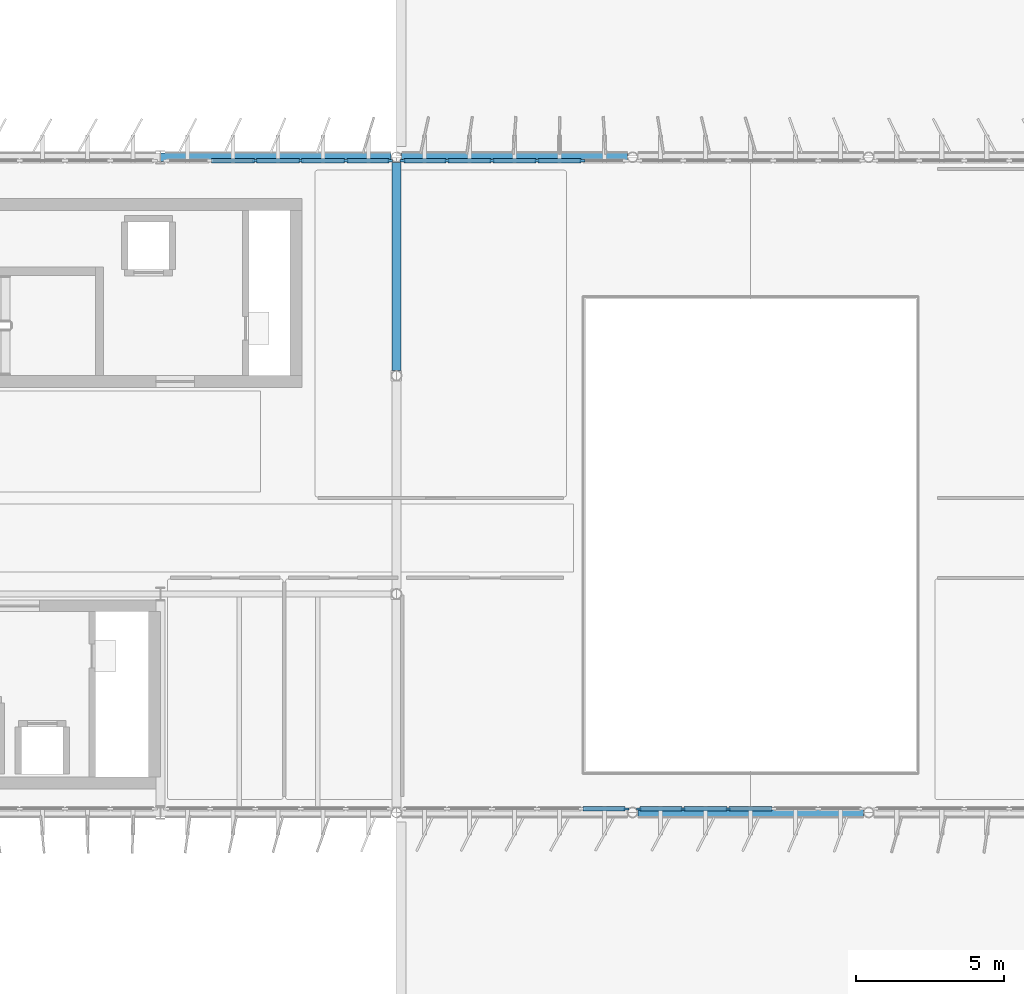
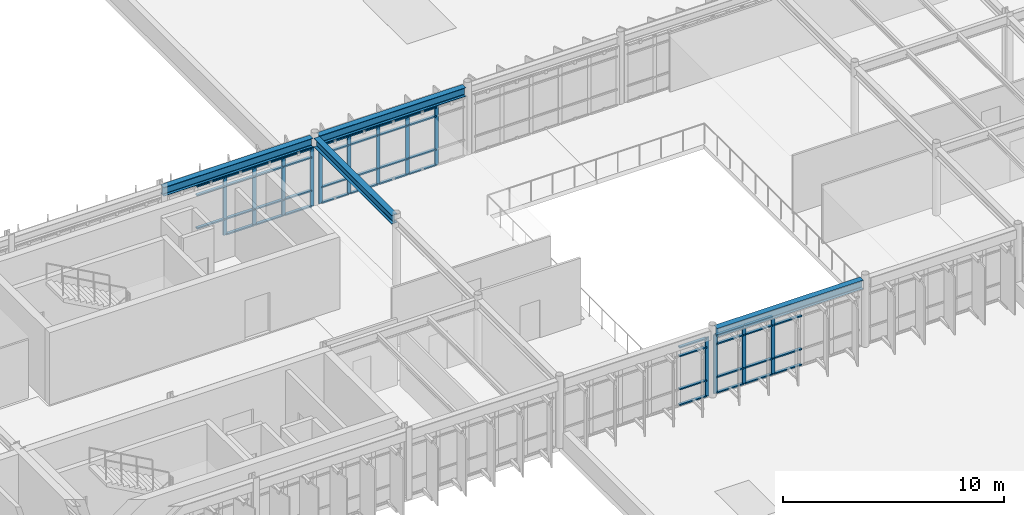
# One storey, part 18 of 56: 59 members, 4 beams, 4 elements without a shape of their own.
"""IFC4 building model written with IfcOpenShell, lengths in metres."""

from ifc_helpers import new_model, si_unit, direction, frame, origin, origin_2d, place, context, subcontext, project, spatial, rectangle, i_section, extrude, material, layer, layer_set, material_profile, profile_set, type_object, element, aggregate, save


model = new_model("IFC4")

# Units and contexts
model_context = context("Model", 3, precision=1e-05, world=origin(), true_north=direction((0.0, 1.0)))
body_context = subcontext(model_context, "Body", "Model", "MODEL_VIEW")
ifc_project = project(units=[si_unit("LENGTHUNIT", "METRE"), si_unit("AREAUNIT", "SQUARE_METRE"), si_unit("VOLUMEUNIT", "CUBIC_METRE"), si_unit("PLANEANGLEUNIT", "RADIAN"), si_unit("MASSUNIT", "GRAM", prefix="KILO")], contexts=[model_context])

# Site, building, storey
site_placement = place(None, origin())
site = spatial("IfcSite", under=ifc_project, at=site_placement, CompositionType="ELEMENT")
building_placement = place(site_placement, origin())
building = spatial("IfcBuilding", under=site, at=building_placement, Name="Valkorina Park Police Headquarters", CompositionType="ELEMENT")
storey_placement = place(building_placement, frame((0.0, 0.0, 14.10009765625)))
storey = spatial("IfcBuildingStorey", under=building, at=storey_placement, Name="L04", CompositionType="ELEMENT", Elevation=14.10009765625)

# Beams
ifc_material_1 = material(Name="Steel S355", Category="steel")
ifc_material_profile_1 = material_profile(ifc_material_1, i_section(OverallWidth=0.300048828125, OverallDepth=0.489990234375, WebThickness=0.011962890625, FlangeThickness=0.02294921875, FilletRadius=0.027099609375, at=origin_2d()), Name="HEA 500")
ifc_profile_set_1 = profile_set([ifc_material_profile_1], Name="Steel S355")
beam_type_1 = type_object("IfcBeamType", Name="BM-S355-HEA500-BM", PredefinedType="BEAM", material=ifc_profile_set_1)
beam_1_placement = place(storey_placement, frame((56.800048828125, 51.977783203125, 3.510009765625), z_axis=(0.0, 1.0, 0.0), x_axis=(-1.0, 0.0, 0.0)))
element("IfcBeam", 1, at=beam_1_placement, inside=storey, type_object=beam_type_1, Name="L04 Framing Beam 2330", PredefinedType="BEAM", context=body_context, shape_type="SweptSolid", body=[
    extrude(i_section(OverallWidth=0.300048828125, OverallDepth=0.489990234375, WebThickness=0.011962890625, FlangeThickness=0.02294921875, FilletRadius=0.027099609375, at=origin_2d()), origin(), (0.0, 0.0, 1.0), 7.04443359375),
])
ifc_material_profile_2 = material_profile(ifc_material_1, i_section(OverallWidth=0.300048828125, OverallDepth=0.489990234375, WebThickness=0.011962890625, FlangeThickness=0.02294921875, FilletRadius=0.027099609375, at=origin_2d()), Name="HEA 500")
ifc_profile_set_2 = profile_set([ifc_material_profile_2], Name="Steel S355")
beam_type_2 = type_object("IfcBeamType", Name="BM-S355-HEA500-SPN", PredefinedType="SPANDREL", material=ifc_profile_set_2)
beam_2_placement = place(storey_placement, frame((64.977783203125, 37.0, 3.510009765625), z_axis=(1.0, 0.0, 0.0), x_axis=(0.0, 1.0, 0.0)))
element("IfcBeam", 2, at=beam_2_placement, inside=storey, type_object=beam_type_2, Name="L04 Framing Beam 2222", PredefinedType="SPANDREL", context=body_context, shape_type="SweptSolid", body=[
    extrude(i_section(OverallWidth=0.300048828125, OverallDepth=0.489990234375, WebThickness=0.011962890625, FlangeThickness=0.02294921875, FilletRadius=0.027099609375, at=origin_2d()), origin(), (0.0, 0.0, 1.0), 7.64453125),
])
beam_3_placement = place(storey_placement, frame((48.806884765625, 59.199951171875, 3.510009765625), z_axis=(1.0, 0.0, 0.0), x_axis=(0.0, 1.0, 0.0)))
element("IfcBeam", 3, at=beam_3_placement, inside=storey, type_object=beam_type_2, Name="L04 Framing Beam 2255", PredefinedType="SPANDREL", context=body_context, shape_type="SweptSolid", body=[
    extrude(i_section(OverallWidth=0.300048828125, OverallDepth=0.489990234375, WebThickness=0.011962890625, FlangeThickness=0.02294921875, FilletRadius=0.027099609375, at=origin_2d()), origin(), (0.0, 0.0, 1.0), 7.8154296875),
])
beam_4_placement = place(storey_placement, frame((56.977783203125, 59.199951171875, 3.510009765625), z_axis=(1.0, 0.0, 0.0), x_axis=(0.0, 1.0, 0.0)))
element("IfcBeam", 4, at=beam_4_placement, inside=storey, type_object=beam_type_2, Name="L04 Framing Beam 2256", PredefinedType="SPANDREL", context=body_context, shape_type="SweptSolid", body=[
    extrude(i_section(OverallWidth=0.300048828125, OverallDepth=0.489990234375, WebThickness=0.011962890625, FlangeThickness=0.02294921875, FilletRadius=0.027099609375, at=origin_2d()), origin(), (0.0, 0.0, 1.0), 7.64453125),
])

# Curtain wall, members
ifc_material_2 = material(Name="Thermally broken aluminium AW-6060", Category="aluminium")
ifc_layer_1 = layer(ifc_material_2, 0.18994140625)
ifc_layer_set_1 = layer_set([ifc_layer_1], Name="Thermally broken aluminium AW-6060")
curtain_wall_type_1 = type_object("IfcCurtainWallType", Name="CW-V5-7650x3260", PredefinedType="NOTDEFINED", material=ifc_layer_set_1)
curtain_wall_1_placement = place(storey_placement, origin())
curtain_wall_1 = element("IfcCurtainWall", 5, at=curtain_wall_1_placement, inside=storey, type_object=curtain_wall_type_1, Name="L04 Unitised Curtain Wall 036", PredefinedType="NOTDEFINED")
ifc_material_profile_3 = material_profile(ifc_material_2, rectangle(XDim=0.070068359375, YDim=0.18994140625, at=origin_2d()), Name="CWM-02 70x190")
ifc_profile_set_3 = profile_set([ifc_material_profile_3], Name="Thermally broken aluminium AW-6060")
member_type_1 = type_object("IfcMemberType", Name="CWM-70x190", PredefinedType="MULLION", material=ifc_profile_set_3)
member_1_placement = place(storey_placement, frame((52.02099609375, 59.080078125, 0.0), z_axis=(0.0, 0.0, 1.0), x_axis=(0.0, 1.0, 0.0)))
member_1 = element("IfcMember", 6, at=member_1_placement, type_object=member_type_1, Name="CW-V5-765-326 mullion 3", PredefinedType="MULLION", context=body_context, shape_type="SweptSolid", body=[
    extrude(rectangle(XDim=0.070068359375, YDim=0.18994140625, at=origin_2d()), origin(), (0.0, 0.0, 1.0), 3.2548828125),
])
member_2_placement = place(storey_placement, frame((53.55126953125, 59.080078125, 0.0), z_axis=(0.0, 0.0, 1.0), x_axis=(0.0, 1.0, 0.0)))
member_2 = element("IfcMember", 7, at=member_2_placement, type_object=member_type_1, Name="CW-V5-765-326 mullion 4", PredefinedType="MULLION", context=body_context, shape_type="SweptSolid", body=[
    extrude(rectangle(XDim=0.070068359375, YDim=0.18994140625, at=origin_2d()), origin(), (0.0, 0.0, 1.0), 3.2548828125),
])
member_3_placement = place(storey_placement, frame((55.081787109375, 59.080078125, 0.0), z_axis=(0.0, 0.0, 1.0), x_axis=(0.0, 1.0, 0.0)))
member_3 = element("IfcMember", 8, at=member_3_placement, type_object=member_type_1, Name="CW-V5-765-326 mullion 5", PredefinedType="MULLION", context=body_context, shape_type="SweptSolid", body=[
    extrude(rectangle(XDim=0.070068359375, YDim=0.18994140625, at=origin_2d()), origin(), (0.0, 0.0, 1.0), 3.2548828125),
])
member_4_placement = place(storey_placement, frame((56.5771484375, 59.080078125, 0.0), z_axis=(0.0, 0.0, 1.0), x_axis=(0.0, 1.0, 0.0)))
member_4 = element("IfcMember", 9, at=member_4_placement, type_object=member_type_1, Name="CW-V5-765-326 mullion 6", PredefinedType="MULLION", context=body_context, shape_type="SweptSolid", body=[
    extrude(rectangle(XDim=0.070068359375, YDim=0.18994140625, at=origin_2d()), origin(), (0.0, 0.0, 1.0), 3.2548828125),
])

ifc_layer_2 = layer(ifc_material_2, 0.18994140625)
ifc_layer_set_2 = layer_set([ifc_layer_2], Name="Thermally broken aluminium AW-6060")
curtain_wall_type_2 = type_object("IfcCurtainWallType", Name="CW-V5-7620x3260", PredefinedType="NOTDEFINED", material=ifc_layer_set_2)
curtain_wall_2_placement = place(storey_placement, origin())
curtain_wall_2 = element("IfcCurtainWall", 10, at=curtain_wall_2_placement, inside=storey, type_object=curtain_wall_type_2, Name="L04 Unitised Curtain Wall 037", PredefinedType="NOTDEFINED")
member_5_placement = place(storey_placement, frame((57.022705078125, 59.080078125, 0.0), z_axis=(0.0, 0.0, 1.0), x_axis=(0.0, 1.0, 0.0)))
member_5 = element("IfcMember", 11, at=member_5_placement, type_object=member_type_1, Name="CW-V5-762-326 mullion 1", PredefinedType="MULLION", context=body_context, shape_type="SweptSolid", body=[
    extrude(rectangle(XDim=0.070068359375, YDim=0.18994140625, at=origin_2d()), origin(), (0.0, 0.0, 1.0), 3.2548828125),
])
member_6_placement = place(storey_placement, frame((58.5126953125, 59.080078125, 0.0), z_axis=(0.0, 0.0, 1.0), x_axis=(0.0, 1.0, 0.0)))
member_6 = element("IfcMember", 12, at=member_6_placement, type_object=member_type_1, Name="CW-V5-762-326 mullion 2", PredefinedType="MULLION", context=body_context, shape_type="SweptSolid", body=[
    extrude(rectangle(XDim=0.070068359375, YDim=0.18994140625, at=origin_2d()), origin(), (0.0, 0.0, 1.0), 3.2548828125),
])
member_7_placement = place(storey_placement, frame((60.03759765625, 59.080078125, 0.0), z_axis=(0.0, 0.0, 1.0), x_axis=(0.0, 1.0, 0.0)))
member_7 = element("IfcMember", 13, at=member_7_placement, type_object=member_type_1, Name="CW-V5-762-326 mullion 3", PredefinedType="MULLION", context=body_context, shape_type="SweptSolid", body=[
    extrude(rectangle(XDim=0.070068359375, YDim=0.18994140625, at=origin_2d()), origin(), (0.0, 0.0, 1.0), 3.2548828125),
])
member_8_placement = place(storey_placement, frame((61.5625, 59.080078125, 0.0), z_axis=(0.0, 0.0, 1.0), x_axis=(0.0, 1.0, 0.0)))
member_8 = element("IfcMember", 14, at=member_8_placement, type_object=member_type_1, Name="CW-V5-762-326 mullion 4", PredefinedType="MULLION", context=body_context, shape_type="SweptSolid", body=[
    extrude(rectangle(XDim=0.070068359375, YDim=0.18994140625, at=origin_2d()), origin(), (0.0, 0.0, 1.0), 3.2548828125),
])
member_9_placement = place(storey_placement, frame((63.08740234375, 59.080078125, 0.0), z_axis=(0.0, 0.0, 1.0), x_axis=(0.0, 1.0, 0.0)))
member_9 = element("IfcMember", 15, at=member_9_placement, type_object=member_type_1, Name="CW-V5-762-326 mullion 5", PredefinedType="MULLION", context=body_context, shape_type="SweptSolid", body=[
    extrude(rectangle(XDim=0.070068359375, YDim=0.18994140625, at=origin_2d()), origin(), (0.0, 0.0, 1.0), 3.2548828125),
])

curtain_wall_3_placement = place(storey_placement, origin())
curtain_wall_3 = element("IfcCurtainWall", 16, at=curtain_wall_3_placement, inside=storey, type_object=curtain_wall_type_2, Name="L04 Unitised Curtain Wall 049", PredefinedType="NOTDEFINED")
member_10_placement = place(storey_placement, frame((68.03759765625, 37.1201171875, 0.0), z_axis=(0.0, 0.0, 1.0), x_axis=(0.0, -1.0, 0.0)))
member_10 = element("IfcMember", 17, at=member_10_placement, type_object=member_type_1, Name="CW-V5-762-326 mullion 4", PredefinedType="MULLION", context=body_context, shape_type="SweptSolid", body=[
    extrude(rectangle(XDim=0.070068359375, YDim=0.18994140625, at=origin_2d()), origin(), (0.0, 0.0, 1.0), 3.2548828125),
])
member_11_placement = place(storey_placement, frame((66.5126953125, 37.1201171875, 0.0), z_axis=(0.0, 0.0, 1.0), x_axis=(0.0, -1.0, 0.0)))
member_11 = element("IfcMember", 18, at=member_11_placement, type_object=member_type_1, Name="CW-V5-762-326 mullion 5", PredefinedType="MULLION", context=body_context, shape_type="SweptSolid", body=[
    extrude(rectangle(XDim=0.070068359375, YDim=0.18994140625, at=origin_2d()), origin(), (0.0, 0.0, 1.0), 3.2548828125),
])
member_12_placement = place(storey_placement, frame((65.022705078125, 37.1201171875, 0.0), z_axis=(0.0, 0.0, 1.0), x_axis=(0.0, -1.0, 0.0)))
member_12 = element("IfcMember", 19, at=member_12_placement, type_object=member_type_1, Name="CW-V5-762-326 mullion 6", PredefinedType="MULLION", context=body_context, shape_type="SweptSolid", body=[
    extrude(rectangle(XDim=0.070068359375, YDim=0.18994140625, at=origin_2d()), origin(), (0.0, 0.0, 1.0), 3.2548828125),
])

# Curtain wall, member
curtain_wall_4_placement = place(storey_placement, origin())
curtain_wall_4 = element("IfcCurtainWall", 20, at=curtain_wall_4_placement, inside=storey, type_object=curtain_wall_type_2, Name="L04 Unitised Curtain Wall 050", PredefinedType="NOTDEFINED")
member_13_placement = place(storey_placement, frame((64.5771484375, 37.1201171875, 0.0), z_axis=(0.0, 0.0, 1.0), x_axis=(0.0, -1.0, 0.0)))
member_13 = element("IfcMember", 21, at=member_13_placement, type_object=member_type_1, Name="CW-V5-762-326 mullion 1", PredefinedType="MULLION", context=body_context, shape_type="SweptSolid", body=[
    extrude(rectangle(XDim=0.070068359375, YDim=0.18994140625, at=origin_2d()), origin(), (0.0, 0.0, 1.0), 3.2548828125),
])

# Member
ifc_material_profile_4 = material_profile(ifc_material_2, rectangle(XDim=0.14990234375, YDim=0.070068359375, at=origin_2d()), Name="CWT-02 150x70")
ifc_profile_set_4 = profile_set([ifc_material_profile_4], Name="Thermally broken aluminium AW-6060")
member_type_2 = type_object("IfcMemberType", Name="CWT-150x70", PredefinedType="USERDEFINED", material=ifc_profile_set_4)
member_14_placement = place(storey_placement, frame((50.525390625, 59.080078125, 0.89990234375), z_axis=(1.0, 0.0, 0.0), x_axis=(0.0, 1.0, 0.0)))
member_14 = element("IfcMember", 22, at=member_14_placement, type_object=member_type_2, Name="CW-V5-765-326 transom 2.2", ObjectType="TRANSOM", PredefinedType="USERDEFINED", context=body_context, shape_type="SweptSolid", body=[
    extrude(rectangle(XDim=0.14990234375, YDim=0.070068359375, at=origin_2d()), origin(), (0.0, 0.0, 1.0), 1.46044921875),
])

member_15_placement = place(storey_placement, frame((50.525390625, 59.080078125, 2.73486328125), z_axis=(1.0, 0.0, 0.0), x_axis=(0.0, 1.0, 0.0)))
member_15 = element("IfcMember", 23, at=member_15_placement, type_object=member_type_2, Name="CW-V5-765-326 transom 2.3", ObjectType="TRANSOM", PredefinedType="USERDEFINED", context=body_context, shape_type="SweptSolid", body=[
    extrude(rectangle(XDim=0.14990234375, YDim=0.070068359375, at=origin_2d()), origin(), (0.0, 0.0, 1.0), 1.46044921875),
])

member_16_placement = place(storey_placement, frame((50.525390625, 59.080078125, 3.219970703125), z_axis=(1.0, 0.0, 0.0), x_axis=(0.0, 1.0, 0.0)))
member_16 = element("IfcMember", 24, at=member_16_placement, type_object=member_type_2, Name="CW-V5-765-326 transom 2.4", ObjectType="TRANSOM", PredefinedType="USERDEFINED", context=body_context, shape_type="SweptSolid", body=[
    extrude(rectangle(XDim=0.14990234375, YDim=0.070068359375, at=origin_2d()), origin(), (0.0, 0.0, 1.0), 1.46044921875),
])

member_17_placement = place(storey_placement, frame((52.055908203125, 59.080078125, 0.034912109375), z_axis=(1.0, 0.0, 0.0), x_axis=(0.0, 1.0, 0.0)))
member_17 = element("IfcMember", 25, at=member_17_placement, type_object=member_type_2, Name="CW-V5-765-326 transom 3.1", ObjectType="TRANSOM", PredefinedType="USERDEFINED", context=body_context, shape_type="SweptSolid", body=[
    extrude(rectangle(XDim=0.14990234375, YDim=0.070068359375, at=origin_2d()), origin(), (0.0, 0.0, 1.0), 1.46044921875),
])

member_18_placement = place(storey_placement, frame((52.055908203125, 59.080078125, 0.89990234375), z_axis=(1.0, 0.0, 0.0), x_axis=(0.0, 1.0, 0.0)))
member_18 = element("IfcMember", 26, at=member_18_placement, type_object=member_type_2, Name="CW-V5-765-326 transom 3.2", ObjectType="TRANSOM", PredefinedType="USERDEFINED", context=body_context, shape_type="SweptSolid", body=[
    extrude(rectangle(XDim=0.14990234375, YDim=0.070068359375, at=origin_2d()), origin(), (0.0, 0.0, 1.0), 1.46044921875),
])

member_19_placement = place(storey_placement, frame((52.055908203125, 59.080078125, 2.73486328125), z_axis=(1.0, 0.0, 0.0), x_axis=(0.0, 1.0, 0.0)))
member_19 = element("IfcMember", 27, at=member_19_placement, type_object=member_type_2, Name="CW-V5-765-326 transom 3.3", ObjectType="TRANSOM", PredefinedType="USERDEFINED", context=body_context, shape_type="SweptSolid", body=[
    extrude(rectangle(XDim=0.14990234375, YDim=0.070068359375, at=origin_2d()), origin(), (0.0, 0.0, 1.0), 1.46044921875),
])

member_20_placement = place(storey_placement, frame((52.055908203125, 59.080078125, 3.219970703125), z_axis=(1.0, 0.0, 0.0), x_axis=(0.0, 1.0, 0.0)))
member_20 = element("IfcMember", 28, at=member_20_placement, type_object=member_type_2, Name="CW-V5-765-326 transom 3.4", ObjectType="TRANSOM", PredefinedType="USERDEFINED", context=body_context, shape_type="SweptSolid", body=[
    extrude(rectangle(XDim=0.14990234375, YDim=0.070068359375, at=origin_2d()), origin(), (0.0, 0.0, 1.0), 1.46044921875),
])

member_21_placement = place(storey_placement, frame((53.58642578125, 59.080078125, 0.034912109375), z_axis=(1.0, 0.0, 0.0), x_axis=(0.0, 1.0, 0.0)))
member_21 = element("IfcMember", 29, at=member_21_placement, type_object=member_type_2, Name="CW-V5-765-326 transom 4.1", ObjectType="TRANSOM", PredefinedType="USERDEFINED", context=body_context, shape_type="SweptSolid", body=[
    extrude(rectangle(XDim=0.14990234375, YDim=0.070068359375, at=origin_2d()), origin(), (0.0, 0.0, 1.0), 1.46044921875),
])

member_22_placement = place(storey_placement, frame((53.58642578125, 59.080078125, 0.89990234375), z_axis=(1.0, 0.0, 0.0), x_axis=(0.0, 1.0, 0.0)))
member_22 = element("IfcMember", 30, at=member_22_placement, type_object=member_type_2, Name="CW-V5-765-326 transom 4.2", ObjectType="TRANSOM", PredefinedType="USERDEFINED", context=body_context, shape_type="SweptSolid", body=[
    extrude(rectangle(XDim=0.14990234375, YDim=0.070068359375, at=origin_2d()), origin(), (0.0, 0.0, 1.0), 1.46044921875),
])

member_23_placement = place(storey_placement, frame((53.58642578125, 59.080078125, 2.73486328125), z_axis=(1.0, 0.0, 0.0), x_axis=(0.0, 1.0, 0.0)))
member_23 = element("IfcMember", 31, at=member_23_placement, type_object=member_type_2, Name="CW-V5-765-326 transom 4.3", ObjectType="TRANSOM", PredefinedType="USERDEFINED", context=body_context, shape_type="SweptSolid", body=[
    extrude(rectangle(XDim=0.14990234375, YDim=0.070068359375, at=origin_2d()), origin(), (0.0, 0.0, 1.0), 1.46044921875),
])

member_24_placement = place(storey_placement, frame((53.58642578125, 59.080078125, 3.219970703125), z_axis=(1.0, 0.0, 0.0), x_axis=(0.0, 1.0, 0.0)))
member_24 = element("IfcMember", 32, at=member_24_placement, type_object=member_type_2, Name="CW-V5-765-326 transom 4.4", ObjectType="TRANSOM", PredefinedType="USERDEFINED", context=body_context, shape_type="SweptSolid", body=[
    extrude(rectangle(XDim=0.14990234375, YDim=0.070068359375, at=origin_2d()), origin(), (0.0, 0.0, 1.0), 1.46044921875),
])

member_25_placement = place(storey_placement, frame((55.11669921875, 59.080078125, 0.034912109375), z_axis=(1.0, 0.0, 0.0), x_axis=(0.0, 1.0, 0.0)))
member_25 = element("IfcMember", 33, at=member_25_placement, type_object=member_type_2, Name="CW-V5-765-326 transom 5.1", ObjectType="TRANSOM", PredefinedType="USERDEFINED", context=body_context, shape_type="SweptSolid", body=[
    extrude(rectangle(XDim=0.14990234375, YDim=0.070068359375, at=origin_2d()), origin(), (0.0, 0.0, 1.0), 1.425537109375),
])

member_26_placement = place(storey_placement, frame((55.11669921875, 59.080078125, 0.89990234375), z_axis=(1.0, 0.0, 0.0), x_axis=(0.0, 1.0, 0.0)))
member_26 = element("IfcMember", 34, at=member_26_placement, type_object=member_type_2, Name="CW-V5-765-326 transom 5.2", ObjectType="TRANSOM", PredefinedType="USERDEFINED", context=body_context, shape_type="SweptSolid", body=[
    extrude(rectangle(XDim=0.14990234375, YDim=0.070068359375, at=origin_2d()), origin(), (0.0, 0.0, 1.0), 1.425537109375),
])

member_27_placement = place(storey_placement, frame((55.11669921875, 59.080078125, 2.73486328125), z_axis=(1.0, 0.0, 0.0), x_axis=(0.0, 1.0, 0.0)))
member_27 = element("IfcMember", 35, at=member_27_placement, type_object=member_type_2, Name="CW-V5-765-326 transom 5.3", ObjectType="TRANSOM", PredefinedType="USERDEFINED", context=body_context, shape_type="SweptSolid", body=[
    extrude(rectangle(XDim=0.14990234375, YDim=0.070068359375, at=origin_2d()), origin(), (0.0, 0.0, 1.0), 1.425537109375),
])

member_28_placement = place(storey_placement, frame((55.11669921875, 59.080078125, 3.219970703125), z_axis=(1.0, 0.0, 0.0), x_axis=(0.0, 1.0, 0.0)))
member_28 = element("IfcMember", 36, at=member_28_placement, type_object=member_type_2, Name="CW-V5-765-326 transom 5.4", ObjectType="TRANSOM", PredefinedType="USERDEFINED", context=body_context, shape_type="SweptSolid", body=[
    extrude(rectangle(XDim=0.14990234375, YDim=0.070068359375, at=origin_2d()), origin(), (0.0, 0.0, 1.0), 1.425537109375),
])

aggregate(curtain_wall_1, [member_1, member_2, member_3, member_4, member_14, member_15, member_16, member_17, member_18, member_19, member_20, member_21, member_22, member_23, member_24, member_25, member_26, member_27, member_28])

member_29_placement = place(storey_placement, frame((57.057861328125, 59.080078125, 0.034912109375), z_axis=(1.0, 0.0, 0.0), x_axis=(0.0, 1.0, 0.0)))
member_29 = element("IfcMember", 37, at=member_29_placement, type_object=member_type_2, Name="CW-V5-762-326 transom 1.1", ObjectType="TRANSOM", PredefinedType="USERDEFINED", context=body_context, shape_type="SweptSolid", body=[
    extrude(rectangle(XDim=0.14990234375, YDim=0.070068359375, at=origin_2d()), origin(), (0.0, 0.0, 1.0), 1.419921875),
])

member_30_placement = place(storey_placement, frame((57.057861328125, 59.080078125, 0.89990234375), z_axis=(1.0, 0.0, 0.0), x_axis=(0.0, 1.0, 0.0)))
member_30 = element("IfcMember", 38, at=member_30_placement, type_object=member_type_2, Name="CW-V5-762-326 transom 1.2", ObjectType="TRANSOM", PredefinedType="USERDEFINED", context=body_context, shape_type="SweptSolid", body=[
    extrude(rectangle(XDim=0.14990234375, YDim=0.070068359375, at=origin_2d()), origin(), (0.0, 0.0, 1.0), 1.419921875),
])

member_31_placement = place(storey_placement, frame((57.057861328125, 59.080078125, 2.73486328125), z_axis=(1.0, 0.0, 0.0), x_axis=(0.0, 1.0, 0.0)))
member_31 = element("IfcMember", 39, at=member_31_placement, type_object=member_type_2, Name="CW-V5-762-326 transom 1.3", ObjectType="TRANSOM", PredefinedType="USERDEFINED", context=body_context, shape_type="SweptSolid", body=[
    extrude(rectangle(XDim=0.14990234375, YDim=0.070068359375, at=origin_2d()), origin(), (0.0, 0.0, 1.0), 1.419921875),
])

member_32_placement = place(storey_placement, frame((57.057861328125, 59.080078125, 3.219970703125), z_axis=(1.0, 0.0, 0.0), x_axis=(0.0, 1.0, 0.0)))
member_32 = element("IfcMember", 40, at=member_32_placement, type_object=member_type_2, Name="CW-V5-762-326 transom 1.4", ObjectType="TRANSOM", PredefinedType="USERDEFINED", context=body_context, shape_type="SweptSolid", body=[
    extrude(rectangle(XDim=0.14990234375, YDim=0.070068359375, at=origin_2d()), origin(), (0.0, 0.0, 1.0), 1.419921875),
])

member_33_placement = place(storey_placement, frame((58.547607421875, 59.080078125, 0.034912109375), z_axis=(1.0, 0.0, 0.0), x_axis=(0.0, 1.0, 0.0)))
member_33 = element("IfcMember", 41, at=member_33_placement, type_object=member_type_2, Name="CW-V5-762-326 transom 2.1", ObjectType="TRANSOM", PredefinedType="USERDEFINED", context=body_context, shape_type="SweptSolid", body=[
    extrude(rectangle(XDim=0.14990234375, YDim=0.070068359375, at=origin_2d()), origin(), (0.0, 0.0, 1.0), 1.454833984375),
])

member_34_placement = place(storey_placement, frame((58.547607421875, 59.080078125, 0.89990234375), z_axis=(1.0, 0.0, 0.0), x_axis=(0.0, 1.0, 0.0)))
member_34 = element("IfcMember", 42, at=member_34_placement, type_object=member_type_2, Name="CW-V5-762-326 transom 2.2", ObjectType="TRANSOM", PredefinedType="USERDEFINED", context=body_context, shape_type="SweptSolid", body=[
    extrude(rectangle(XDim=0.14990234375, YDim=0.070068359375, at=origin_2d()), origin(), (0.0, 0.0, 1.0), 1.454833984375),
])

member_35_placement = place(storey_placement, frame((58.547607421875, 59.080078125, 2.73486328125), z_axis=(1.0, 0.0, 0.0), x_axis=(0.0, 1.0, 0.0)))
member_35 = element("IfcMember", 43, at=member_35_placement, type_object=member_type_2, Name="CW-V5-762-326 transom 2.3", ObjectType="TRANSOM", PredefinedType="USERDEFINED", context=body_context, shape_type="SweptSolid", body=[
    extrude(rectangle(XDim=0.14990234375, YDim=0.070068359375, at=origin_2d()), origin(), (0.0, 0.0, 1.0), 1.454833984375),
])

member_36_placement = place(storey_placement, frame((58.547607421875, 59.080078125, 3.219970703125), z_axis=(1.0, 0.0, 0.0), x_axis=(0.0, 1.0, 0.0)))
member_36 = element("IfcMember", 44, at=member_36_placement, type_object=member_type_2, Name="CW-V5-762-326 transom 2.4", ObjectType="TRANSOM", PredefinedType="USERDEFINED", context=body_context, shape_type="SweptSolid", body=[
    extrude(rectangle(XDim=0.14990234375, YDim=0.070068359375, at=origin_2d()), origin(), (0.0, 0.0, 1.0), 1.454833984375),
])

member_37_placement = place(storey_placement, frame((60.072509765625, 59.080078125, 0.034912109375), z_axis=(1.0, 0.0, 0.0), x_axis=(0.0, 1.0, 0.0)))
member_37 = element("IfcMember", 45, at=member_37_placement, type_object=member_type_2, Name="CW-V5-762-326 transom 3.1", ObjectType="TRANSOM", PredefinedType="USERDEFINED", context=body_context, shape_type="SweptSolid", body=[
    extrude(rectangle(XDim=0.14990234375, YDim=0.070068359375, at=origin_2d()), origin(), (0.0, 0.0, 1.0), 1.454833984375),
])

member_38_placement = place(storey_placement, frame((60.072509765625, 59.080078125, 0.89990234375), z_axis=(1.0, 0.0, 0.0), x_axis=(0.0, 1.0, 0.0)))
member_38 = element("IfcMember", 46, at=member_38_placement, type_object=member_type_2, Name="CW-V5-762-326 transom 3.2", ObjectType="TRANSOM", PredefinedType="USERDEFINED", context=body_context, shape_type="SweptSolid", body=[
    extrude(rectangle(XDim=0.14990234375, YDim=0.070068359375, at=origin_2d()), origin(), (0.0, 0.0, 1.0), 1.454833984375),
])

member_39_placement = place(storey_placement, frame((60.072509765625, 59.080078125, 2.73486328125), z_axis=(1.0, 0.0, 0.0), x_axis=(0.0, 1.0, 0.0)))
member_39 = element("IfcMember", 47, at=member_39_placement, type_object=member_type_2, Name="CW-V5-762-326 transom 3.3", ObjectType="TRANSOM", PredefinedType="USERDEFINED", context=body_context, shape_type="SweptSolid", body=[
    extrude(rectangle(XDim=0.14990234375, YDim=0.070068359375, at=origin_2d()), origin(), (0.0, 0.0, 1.0), 1.454833984375),
])

member_40_placement = place(storey_placement, frame((60.072509765625, 59.080078125, 3.219970703125), z_axis=(1.0, 0.0, 0.0), x_axis=(0.0, 1.0, 0.0)))
member_40 = element("IfcMember", 48, at=member_40_placement, type_object=member_type_2, Name="CW-V5-762-326 transom 3.4", ObjectType="TRANSOM", PredefinedType="USERDEFINED", context=body_context, shape_type="SweptSolid", body=[
    extrude(rectangle(XDim=0.14990234375, YDim=0.070068359375, at=origin_2d()), origin(), (0.0, 0.0, 1.0), 1.454833984375),
])

member_41_placement = place(storey_placement, frame((61.597412109375, 59.080078125, 0.034912109375), z_axis=(1.0, 0.0, 0.0), x_axis=(0.0, 1.0, 0.0)))
member_41 = element("IfcMember", 49, at=member_41_placement, type_object=member_type_2, Name="CW-V5-762-326 transom 4.1", ObjectType="TRANSOM", PredefinedType="USERDEFINED", context=body_context, shape_type="SweptSolid", body=[
    extrude(rectangle(XDim=0.14990234375, YDim=0.070068359375, at=origin_2d()), origin(), (0.0, 0.0, 1.0), 1.454833984375),
])

member_42_placement = place(storey_placement, frame((61.597412109375, 59.080078125, 0.89990234375), z_axis=(1.0, 0.0, 0.0), x_axis=(0.0, 1.0, 0.0)))
member_42 = element("IfcMember", 50, at=member_42_placement, type_object=member_type_2, Name="CW-V5-762-326 transom 4.2", ObjectType="TRANSOM", PredefinedType="USERDEFINED", context=body_context, shape_type="SweptSolid", body=[
    extrude(rectangle(XDim=0.14990234375, YDim=0.070068359375, at=origin_2d()), origin(), (0.0, 0.0, 1.0), 1.454833984375),
])

member_43_placement = place(storey_placement, frame((61.597412109375, 59.080078125, 2.73486328125), z_axis=(1.0, 0.0, 0.0), x_axis=(0.0, 1.0, 0.0)))
member_43 = element("IfcMember", 51, at=member_43_placement, type_object=member_type_2, Name="CW-V5-762-326 transom 4.3", ObjectType="TRANSOM", PredefinedType="USERDEFINED", context=body_context, shape_type="SweptSolid", body=[
    extrude(rectangle(XDim=0.14990234375, YDim=0.070068359375, at=origin_2d()), origin(), (0.0, 0.0, 1.0), 1.454833984375),
])

member_44_placement = place(storey_placement, frame((61.597412109375, 59.080078125, 3.219970703125), z_axis=(1.0, 0.0, 0.0), x_axis=(0.0, 1.0, 0.0)))
member_44 = element("IfcMember", 52, at=member_44_placement, type_object=member_type_2, Name="CW-V5-762-326 transom 4.4", ObjectType="TRANSOM", PredefinedType="USERDEFINED", context=body_context, shape_type="SweptSolid", body=[
    extrude(rectangle(XDim=0.14990234375, YDim=0.070068359375, at=origin_2d()), origin(), (0.0, 0.0, 1.0), 1.454833984375),
])

aggregate(curtain_wall_2, [member_5, member_6, member_7, member_8, member_9, member_29, member_30, member_31, member_32, member_33, member_34, member_35, member_36, member_37, member_38, member_39, member_40, member_41, member_42, member_43, member_44])

member_45_placement = place(storey_placement, frame((69.52734375, 37.1201171875, 0.034912109375), z_axis=(-1.0, 0.0, 0.0), x_axis=(0.0, -1.0, 0.0)))
member_45 = element("IfcMember", 53, at=member_45_placement, type_object=member_type_2, Name="CW-V5-762-326 transom 3.1", ObjectType="TRANSOM", PredefinedType="USERDEFINED", context=body_context, shape_type="SweptSolid", body=[
    extrude(rectangle(XDim=0.14990234375, YDim=0.070068359375, at=origin_2d()), origin(), (0.0, 0.0, 1.0), 1.454833984375),
])

member_46_placement = place(storey_placement, frame((69.52734375, 37.1201171875, 0.89990234375), z_axis=(-1.0, 0.0, 0.0), x_axis=(0.0, -1.0, 0.0)))
member_46 = element("IfcMember", 54, at=member_46_placement, type_object=member_type_2, Name="CW-V5-762-326 transom 3.2", ObjectType="TRANSOM", PredefinedType="USERDEFINED", context=body_context, shape_type="SweptSolid", body=[
    extrude(rectangle(XDim=0.14990234375, YDim=0.070068359375, at=origin_2d()), origin(), (0.0, 0.0, 1.0), 1.454833984375),
])

member_47_placement = place(storey_placement, frame((69.52734375, 37.1201171875, 2.73486328125), z_axis=(-1.0, 0.0, 0.0), x_axis=(0.0, -1.0, 0.0)))
member_47 = element("IfcMember", 55, at=member_47_placement, type_object=member_type_2, Name="CW-V5-762-326 transom 3.3", ObjectType="TRANSOM", PredefinedType="USERDEFINED", context=body_context, shape_type="SweptSolid", body=[
    extrude(rectangle(XDim=0.14990234375, YDim=0.070068359375, at=origin_2d()), origin(), (0.0, 0.0, 1.0), 1.454833984375),
])

member_48_placement = place(storey_placement, frame((68.00244140625, 37.1201171875, 0.034912109375), z_axis=(-1.0, 0.0, 0.0), x_axis=(0.0, -1.0, 0.0)))
member_48 = element("IfcMember", 56, at=member_48_placement, type_object=member_type_2, Name="CW-V5-762-326 transom 4.1", ObjectType="TRANSOM", PredefinedType="USERDEFINED", context=body_context, shape_type="SweptSolid", body=[
    extrude(rectangle(XDim=0.14990234375, YDim=0.070068359375, at=origin_2d()), origin(), (0.0, 0.0, 1.0), 1.454833984375),
])

member_49_placement = place(storey_placement, frame((68.00244140625, 37.1201171875, 0.89990234375), z_axis=(-1.0, 0.0, 0.0), x_axis=(0.0, -1.0, 0.0)))
member_49 = element("IfcMember", 57, at=member_49_placement, type_object=member_type_2, Name="CW-V5-762-326 transom 4.2", ObjectType="TRANSOM", PredefinedType="USERDEFINED", context=body_context, shape_type="SweptSolid", body=[
    extrude(rectangle(XDim=0.14990234375, YDim=0.070068359375, at=origin_2d()), origin(), (0.0, 0.0, 1.0), 1.454833984375),
])

member_50_placement = place(storey_placement, frame((68.00244140625, 37.1201171875, 2.73486328125), z_axis=(-1.0, 0.0, 0.0), x_axis=(0.0, -1.0, 0.0)))
member_50 = element("IfcMember", 58, at=member_50_placement, type_object=member_type_2, Name="CW-V5-762-326 transom 4.3", ObjectType="TRANSOM", PredefinedType="USERDEFINED", context=body_context, shape_type="SweptSolid", body=[
    extrude(rectangle(XDim=0.14990234375, YDim=0.070068359375, at=origin_2d()), origin(), (0.0, 0.0, 1.0), 1.454833984375),
])

member_51_placement = place(storey_placement, frame((68.00244140625, 37.1201171875, 3.219970703125), z_axis=(-1.0, 0.0, 0.0), x_axis=(0.0, -1.0, 0.0)))
member_51 = element("IfcMember", 59, at=member_51_placement, type_object=member_type_2, Name="CW-V5-762-326 transom 4.4", ObjectType="TRANSOM", PredefinedType="USERDEFINED", context=body_context, shape_type="SweptSolid", body=[
    extrude(rectangle(XDim=0.14990234375, YDim=0.070068359375, at=origin_2d()), origin(), (0.0, 0.0, 1.0), 1.454833984375),
])

member_52_placement = place(storey_placement, frame((66.477783203125, 37.1201171875, 0.034912109375), z_axis=(-1.0, 0.0, 0.0), x_axis=(0.0, -1.0, 0.0)))
member_52 = element("IfcMember", 60, at=member_52_placement, type_object=member_type_2, Name="CW-V5-762-326 transom 5.1", ObjectType="TRANSOM", PredefinedType="USERDEFINED", context=body_context, shape_type="SweptSolid", body=[
    extrude(rectangle(XDim=0.14990234375, YDim=0.070068359375, at=origin_2d()), origin(), (0.0, 0.0, 1.0), 1.419921875),
])

member_53_placement = place(storey_placement, frame((66.477783203125, 37.1201171875, 0.89990234375), z_axis=(-1.0, 0.0, 0.0), x_axis=(0.0, -1.0, 0.0)))
member_53 = element("IfcMember", 61, at=member_53_placement, type_object=member_type_2, Name="CW-V5-762-326 transom 5.2", ObjectType="TRANSOM", PredefinedType="USERDEFINED", context=body_context, shape_type="SweptSolid", body=[
    extrude(rectangle(XDim=0.14990234375, YDim=0.070068359375, at=origin_2d()), origin(), (0.0, 0.0, 1.0), 1.419921875),
])

member_54_placement = place(storey_placement, frame((66.477783203125, 37.1201171875, 2.73486328125), z_axis=(-1.0, 0.0, 0.0), x_axis=(0.0, -1.0, 0.0)))
member_54 = element("IfcMember", 62, at=member_54_placement, type_object=member_type_2, Name="CW-V5-762-326 transom 5.3", ObjectType="TRANSOM", PredefinedType="USERDEFINED", context=body_context, shape_type="SweptSolid", body=[
    extrude(rectangle(XDim=0.14990234375, YDim=0.070068359375, at=origin_2d()), origin(), (0.0, 0.0, 1.0), 1.419921875),
])

member_55_placement = place(storey_placement, frame((66.477783203125, 37.1201171875, 3.219970703125), z_axis=(-1.0, 0.0, 0.0), x_axis=(0.0, -1.0, 0.0)))
member_55 = element("IfcMember", 63, at=member_55_placement, type_object=member_type_2, Name="CW-V5-762-326 transom 5.4", ObjectType="TRANSOM", PredefinedType="USERDEFINED", context=body_context, shape_type="SweptSolid", body=[
    extrude(rectangle(XDim=0.14990234375, YDim=0.070068359375, at=origin_2d()), origin(), (0.0, 0.0, 1.0), 1.419921875),
])

aggregate(curtain_wall_3, [member_10, member_11, member_12, member_45, member_46, member_47, member_48, member_49, member_50, member_51, member_52, member_53, member_54, member_55])

member_56_placement = place(storey_placement, frame((64.542236328125, 37.1201171875, 0.034912109375), z_axis=(-1.0, 0.0, 0.0), x_axis=(0.0, -1.0, 0.0)))
member_56 = element("IfcMember", 64, at=member_56_placement, type_object=member_type_2, Name="CW-V5-762-326 transom 1.1", ObjectType="TRANSOM", PredefinedType="USERDEFINED", context=body_context, shape_type="SweptSolid", body=[
    extrude(rectangle(XDim=0.14990234375, YDim=0.070068359375, at=origin_2d()), origin(), (0.0, 0.0, 1.0), 1.419921875),
])

member_57_placement = place(storey_placement, frame((64.542236328125, 37.1201171875, 0.89990234375), z_axis=(-1.0, 0.0, 0.0), x_axis=(0.0, -1.0, 0.0)))
member_57 = element("IfcMember", 65, at=member_57_placement, type_object=member_type_2, Name="CW-V5-762-326 transom 1.2", ObjectType="TRANSOM", PredefinedType="USERDEFINED", context=body_context, shape_type="SweptSolid", body=[
    extrude(rectangle(XDim=0.14990234375, YDim=0.070068359375, at=origin_2d()), origin(), (0.0, 0.0, 1.0), 1.419921875),
])

member_58_placement = place(storey_placement, frame((64.542236328125, 37.1201171875, 2.73486328125), z_axis=(-1.0, 0.0, 0.0), x_axis=(0.0, -1.0, 0.0)))
member_58 = element("IfcMember", 66, at=member_58_placement, type_object=member_type_2, Name="CW-V5-762-326 transom 1.3", ObjectType="TRANSOM", PredefinedType="USERDEFINED", context=body_context, shape_type="SweptSolid", body=[
    extrude(rectangle(XDim=0.14990234375, YDim=0.070068359375, at=origin_2d()), origin(), (0.0, 0.0, 1.0), 1.419921875),
])

member_59_placement = place(storey_placement, frame((64.542236328125, 37.1201171875, 3.219970703125), z_axis=(-1.0, 0.0, 0.0), x_axis=(0.0, -1.0, 0.0)))
member_59 = element("IfcMember", 67, at=member_59_placement, type_object=member_type_2, Name="CW-V5-762-326 transom 1.4", ObjectType="TRANSOM", PredefinedType="USERDEFINED", context=body_context, shape_type="SweptSolid", body=[
    extrude(rectangle(XDim=0.14990234375, YDim=0.070068359375, at=origin_2d()), origin(), (0.0, 0.0, 1.0), 1.419921875),
])

aggregate(curtain_wall_4, [member_13, member_56, member_57, member_58, member_59])

save(model, "model.ifc")
